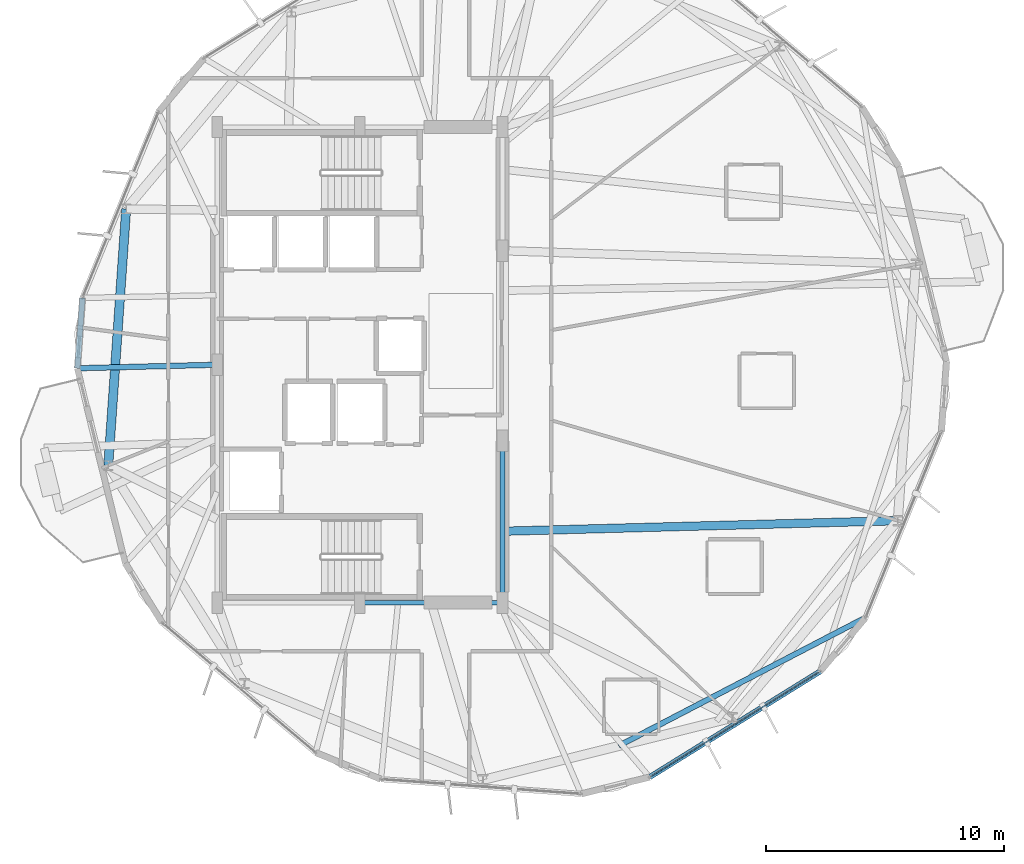
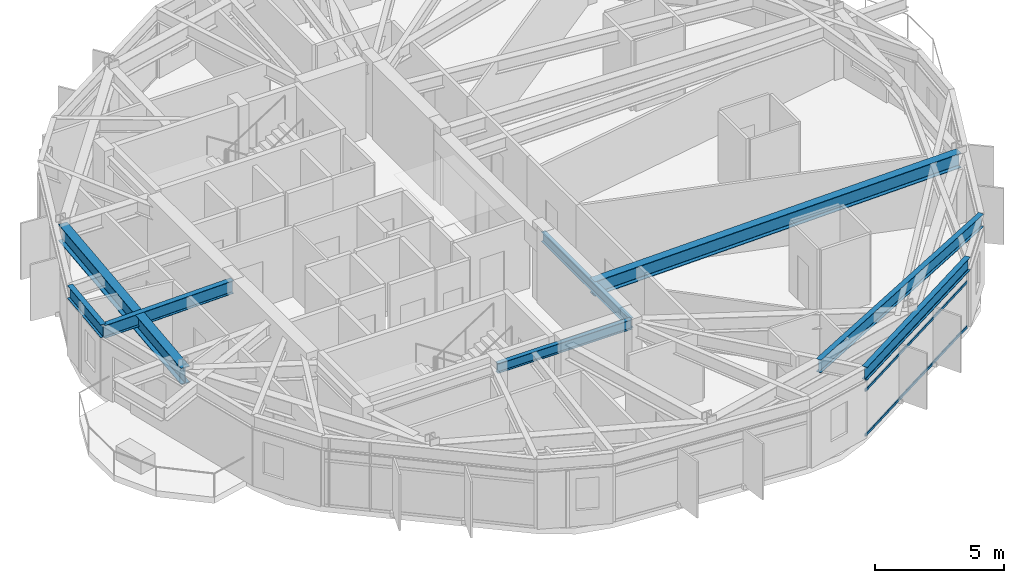
# One storey, part 5 of 21: 8 beams, 3 members, 1 element without a shape of its own.
"""IFC4 building model written with IfcOpenShell, lengths in metres."""

from ifc_helpers import new_model, si_unit, direction, frame, origin, origin_2d, place, context, subcontext, project, spatial, hollow_rectangle, i_section, extrude, material, layer, layer_set, material_profile, profile_set, type_object, element, aggregate, save


model = new_model("IFC4")

# Units and contexts
model_context = context("Model", 3, precision=1e-05, world=origin(), true_north=direction((0.0, 1.0)))
body_context = subcontext(model_context, "Body", "Model", "MODEL_VIEW")
ifc_project = project(units=[si_unit("LENGTHUNIT", "METRE"), si_unit("AREAUNIT", "SQUARE_METRE"), si_unit("VOLUMEUNIT", "CUBIC_METRE"), si_unit("PLANEANGLEUNIT", "RADIAN"), si_unit("MASSUNIT", "GRAM", prefix="KILO")], contexts=[model_context])

# Site, building, storey
site_placement = place(None, origin())
site = spatial("IfcSite", under=ifc_project, at=site_placement, CompositionType="ELEMENT")
building_placement = place(site_placement, origin())
building = spatial("IfcBuilding", under=site, at=building_placement, Name="Soratama Intermodal Tower", CompositionType="ELEMENT")
storey_placement = place(building_placement, frame((0.0, 0.0, 153.39990234375)))
storey = spatial("IfcBuildingStorey", under=building, at=storey_placement, Name="L37", CompositionType="ELEMENT", Elevation=153.39990234375)

# Beams
ifc_material_1 = material(Name="Structural steel ASTM A992 Grade 50", Category="steel")
ifc_material_profile_1 = material_profile(ifc_material_1, i_section(OverallWidth=0.19091796875, OverallDepth=0.4599609375, WebThickness=0.010009765625, FlangeThickness=0.01611328125, FilletRadius=0.010986328125, at=origin_2d()), Name="W18X55")
ifc_profile_set_1 = profile_set([ifc_material_profile_1], Name="Structural steel ASTM A992 Grade 50")
beam_type_1 = type_object("IfcBeamType", Name="BM-FLR-W18X55", PredefinedType="BEAM", material=ifc_profile_set_1)
beam_1_placement = place(storey_placement, frame((38.60009765625, 15.0, 3.070068359375), z_axis=(1.0, 0.0, 0.0), x_axis=(0.0, 1.0, 0.0)))
element("IfcBeam", 1, at=beam_1_placement, inside=storey, type_object=beam_type_1, Name="BM-L37-CRING-02", PredefinedType="BEAM", context=body_context, shape_type="SweptSolid", body=[
    extrude(i_section(OverallWidth=0.19091796875, OverallDepth=0.4599609375, WebThickness=0.010009765625, FlangeThickness=0.01611328125, FilletRadius=0.010986328125, at=origin_2d()), origin(), (0.0, 0.0, 1.0), 6.0),
])
beam_2_placement = place(storey_placement, frame((44.60009765625, 15.0, 3.070068359375), z_axis=(0.0, 1.0, 0.0), x_axis=(-1.0, 0.0, 0.0)))
element("IfcBeam", 2, at=beam_2_placement, inside=storey, type_object=beam_type_1, Name="BM-L37-CRING-03", PredefinedType="BEAM", context=body_context, shape_type="SweptSolid", body=[
    extrude(i_section(OverallWidth=0.19091796875, OverallDepth=0.4599609375, WebThickness=0.010009765625, FlangeThickness=0.01611328125, FilletRadius=0.010986328125, at=origin_2d()), origin(), (0.0, 0.0, 1.0), 6.800048828125),
])
ifc_material_2 = material(Name="Structural steel ASTM A992 Grade 50", Category="steel")
ifc_material_profile_2 = material_profile(ifc_material_2, i_section(OverallWidth=0.35498046875, OverallDepth=0.695068359375, WebThickness=0.015380859375, FlangeThickness=0.02490234375, FilletRadius=0.01611328125, at=origin_2d()), Name="W27X146")
ifc_profile_set_2 = profile_set([ifc_material_profile_2], Name="Structural steel ASTM A992 Grade 50")
beam_type_2 = type_object("IfcBeamType", Name="BM-RING-W27X146", PredefinedType="BEAM", material=ifc_profile_set_2)
beam_3_placement = place(storey_placement, frame((44.60009765625, 18.0, 2.95263671875), z_axis=(0.999643459503, 0.026701196077, 0.0), x_axis=(-0.026701196077, 0.999643459503, 0.0)))
element("IfcBeam", 3, at=beam_3_placement, inside=storey, type_object=beam_type_2, Name="BM-L37-RAD-10", PredefinedType="BEAM", context=body_context, shape_type="SweptSolid", body=[
    extrude(i_section(OverallWidth=0.35498046875, OverallDepth=0.695068359375, WebThickness=0.015380859375, FlangeThickness=0.02490234375, FilletRadius=0.01611328125, at=origin_2d()), origin(), (0.0, 0.0, 1.0), 16.6318359375),
])
ifc_material_3 = material(Name="Structural steel ASTM A992 Grade 50", Category="steel")
ifc_material_profile_3 = material_profile(ifc_material_3, i_section(OverallWidth=0.382080078125, OverallDepth=0.779052734375, WebThickness=0.01806640625, FlangeThickness=0.030029296875, FilletRadius=0.01806640625, at=origin_2d()), Name="W30X191")
ifc_profile_set_3 = profile_set([ifc_material_profile_3], Name="Structural steel ASTM A992 Grade 50")
beam_type_3 = type_object("IfcBeamType", Name="BM-RING-W30X191", PredefinedType="BEAM", material=ifc_profile_set_3)
beam_4_placement = place(storey_placement, frame((28.77392578125, 31.555908203125, 2.91064453125), z_axis=(-0.069702217409, -0.99756784275, 0.0), x_axis=(0.99756784275, -0.069702217409, 0.0)))
element("IfcBeam", 4, at=beam_4_placement, inside=storey, type_object=beam_type_3, Name="BM-L37-RING-05", PredefinedType="BEAM", context=body_context, shape_type="SweptSolid", body=[
    extrude(i_section(OverallWidth=0.382080078125, OverallDepth=0.779052734375, WebThickness=0.01806640625, FlangeThickness=0.030029296875, FilletRadius=0.01806640625, at=origin_2d()), origin(), (0.0, 0.0, 1.0), 10.816162109375),
])
ifc_material_4 = material(Name="Structural steel ASTM A992 Grade 50", Category="steel")
ifc_material_profile_4 = material_profile(ifc_material_4, i_section(OverallWidth=0.22900390625, OverallDepth=0.612060546875, WebThickness=0.011962890625, FlangeThickness=0.01953125, FilletRadius=0.012939453125, at=origin_2d()), Name="W24X84")
ifc_profile_set_4 = profile_set([ifc_material_profile_4], Name="Structural steel ASTM A992 Grade 50")
beam_type_4 = type_object("IfcBeamType", Name="BM-SPN-W24X84", PredefinedType="SPANDREL", material=ifc_profile_set_4)
beam_5_placement = place(storey_placement, frame((26.93603515625, 27.81396484375, 2.994140625), z_axis=(-0.073480684809, -0.997296640403, 0.0), x_axis=(0.997296640403, -0.073480684809, 0.0)))
element("IfcBeam", 5, at=beam_5_placement, inside=storey, type_object=beam_type_4, Name="BS-L37-CRN04", PredefinedType="SPANDREL", context=body_context, shape_type="SweptSolid", body=[
    extrude(i_section(OverallWidth=0.22900390625, OverallDepth=0.612060546875, WebThickness=0.011962890625, FlangeThickness=0.01953125, FilletRadius=0.012939453125, at=origin_2d()), origin(), (0.0, 0.0, 1.0), 2.967041015625),
])
beam_6_placement = place(storey_placement, frame((50.787109375, 7.657958984375, 2.994140625), z_axis=(0.849890774408, 0.526958889836, 0.0), x_axis=(-0.526958889836, 0.849890774408, 0.0)))
element("IfcBeam", 6, at=beam_6_placement, inside=storey, type_object=beam_type_4, Name="BS-L37-F08", PredefinedType="SPANDREL", context=body_context, shape_type="SweptSolid", body=[
    extrude(i_section(OverallWidth=0.22900390625, OverallDepth=0.612060546875, WebThickness=0.011962890625, FlangeThickness=0.01953125, FilletRadius=0.012939453125, at=origin_2d()), origin(), (0.0, 0.0, 1.0), 8.44091796875),
])
ifc_material_5 = material(Name="Structural steel ASTM A992 Grade 50", Category="steel")
ifc_material_profile_5 = material_profile(ifc_material_5, i_section(OverallWidth=0.22900390625, OverallDepth=0.612060546875, WebThickness=0.011962890625, FlangeThickness=0.01953125, FilletRadius=0.012939453125, at=origin_2d()), Name="W24X84")
ifc_profile_set_5 = profile_set([ifc_material_profile_5], Name="Structural steel ASTM A992 Grade 50")
beam_type_5 = type_object("IfcBeamType", Name="BM-TIE-W24X84", PredefinedType="BEAM", material=ifc_profile_set_5)
beam_7_placement = place(storey_placement, frame((32.56005859375, 25.0029296875, 2.994140625), z_axis=(-0.999679478392, -0.02531680237, 0.0), x_axis=(0.02531680237, -0.999679478392, 0.0)))
element("IfcBeam", 7, at=beam_7_placement, inside=storey, type_object=beam_type_5, Name="BM-L37-TIE0-05", PredefinedType="BEAM", context=body_context, shape_type="SweptSolid", body=[
    extrude(i_section(OverallWidth=0.22900390625, OverallDepth=0.612060546875, WebThickness=0.011962890625, FlangeThickness=0.01953125, FilletRadius=0.012939453125, at=origin_2d()), origin(), (0.0, 0.0, 1.0), 5.843994140625),
])
beam_8_placement = place(storey_placement, frame((49.490966796875, 8.97607421875, 2.994140625), z_axis=(0.887380367612, 0.461038049597, 0.0), x_axis=(-0.461038049597, 0.887380367612, 0.0)))
element("IfcBeam", 8, at=beam_8_placement, inside=storey, type_object=beam_type_5, Name="BM-L37-TIE0-09", PredefinedType="BEAM", context=body_context, shape_type="SweptSolid", body=[
    extrude(i_section(OverallWidth=0.22900390625, OverallDepth=0.612060546875, WebThickness=0.011962890625, FlangeThickness=0.01953125, FilletRadius=0.012939453125, at=origin_2d()), origin(), (0.0, 0.0, 1.0), 11.701904296875),
])

# Curtain wall, members
ifc_material_6 = material(Name="Double-glazed aluminium curtain wall", Category="aluminium")
ifc_layer = layer(ifc_material_6, 0.159912109375)
ifc_layer_set = layer_set([ifc_layer], Name="Double-glazed aluminium curtain wall")
curtain_wall_type = type_object("IfcCurtainWallType", Name="CW-SYS-4", PredefinedType="NOTDEFINED", material=ifc_layer_set)
curtain_wall_placement = place(storey_placement, origin())
curtain_wall = element("IfcCurtainWall", 9, at=curtain_wall_placement, inside=storey, type_object=curtain_wall_type, Name="L37 Faceted Curtain Wall F08", PredefinedType="NOTDEFINED")
ifc_material_7 = material(Name="Anodised aluminium AA 6063-T6", Category="aluminium")
ifc_material_profile_6 = material_profile(ifc_material_7, hollow_rectangle(XDim=0.06005859375, YDim=0.1298828125, WallThickness=0.0048828125, InnerFilletRadius=0.0048828125, OuterFilletRadius=0.010009765625, at=origin_2d()), Name="CWT130X60X5")
ifc_profile_set_6 = profile_set([ifc_material_profile_6], Name="Anodised aluminium AA 6063-T6")
member_type = type_object("IfcMemberType", Name="TT-CWT-2", PredefinedType="USERDEFINED", material=ifc_profile_set_6)
member_1_placement = place(storey_placement, frame((50.837890625, 7.689453125, 0.030029296875), z_axis=(0.849893493038, 0.526954505143, 0.0), x_axis=(-0.526954505143, 0.849893493038, 0.0)))
member_1 = element("IfcMember", 10, at=member_1_placement, type_object=member_type, Name="CW-4 transom 1.1", ObjectType="TRANSOM", PredefinedType="USERDEFINED", context=body_context, shape_type="SweptSolid", body=[
    extrude(hollow_rectangle(XDim=0.06005859375, YDim=0.1298828125, WallThickness=0.0048828125, InnerFilletRadius=0.0048828125, OuterFilletRadius=0.010009765625, at=origin_2d()), origin(), (0.0, 0.0, 1.0), 8.320556640625),
])
member_2_placement = place(storey_placement, frame((50.837890625, 7.689453125, 2.150146484375), z_axis=(0.849893493038, 0.526954505143, 0.0), x_axis=(-0.526954505143, 0.849893493038, 0.0)))
member_2 = element("IfcMember", 11, at=member_2_placement, type_object=member_type, Name="CW-4 transom 1.2", ObjectType="TRANSOM", PredefinedType="USERDEFINED", context=body_context, shape_type="SweptSolid", body=[
    extrude(hollow_rectangle(XDim=0.06005859375, YDim=0.1298828125, WallThickness=0.0048828125, InnerFilletRadius=0.0048828125, OuterFilletRadius=0.010009765625, at=origin_2d()), origin(), (0.0, 0.0, 1.0), 8.320556640625),
])
member_3_placement = place(storey_placement, frame((50.837890625, 7.689453125, 2.649169921875), z_axis=(0.849893493038, 0.526954505143, 0.0), x_axis=(-0.526954505143, 0.849893493038, 0.0)))
member_3 = element("IfcMember", 12, at=member_3_placement, type_object=member_type, Name="CW-4 transom 1.3", ObjectType="TRANSOM", PredefinedType="USERDEFINED", context=body_context, shape_type="SweptSolid", body=[
    extrude(hollow_rectangle(XDim=0.06005859375, YDim=0.1298828125, WallThickness=0.0048828125, InnerFilletRadius=0.0048828125, OuterFilletRadius=0.010009765625, at=origin_2d()), origin(), (0.0, 0.0, 1.0), 8.320556640625),
])
aggregate(curtain_wall, [member_1, member_2, member_3])

save(model, "model.ifc")
